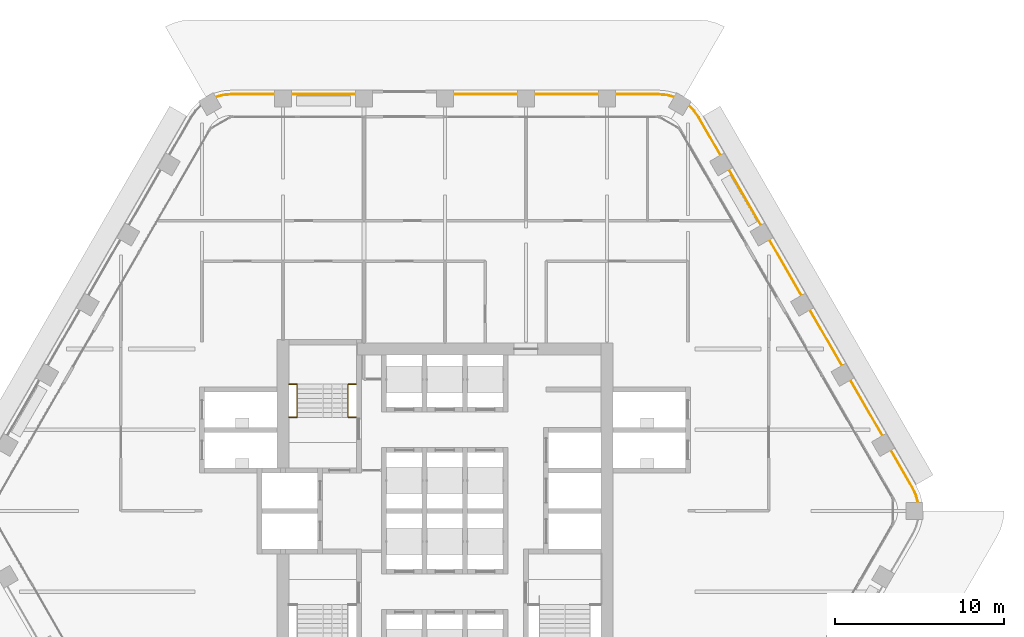
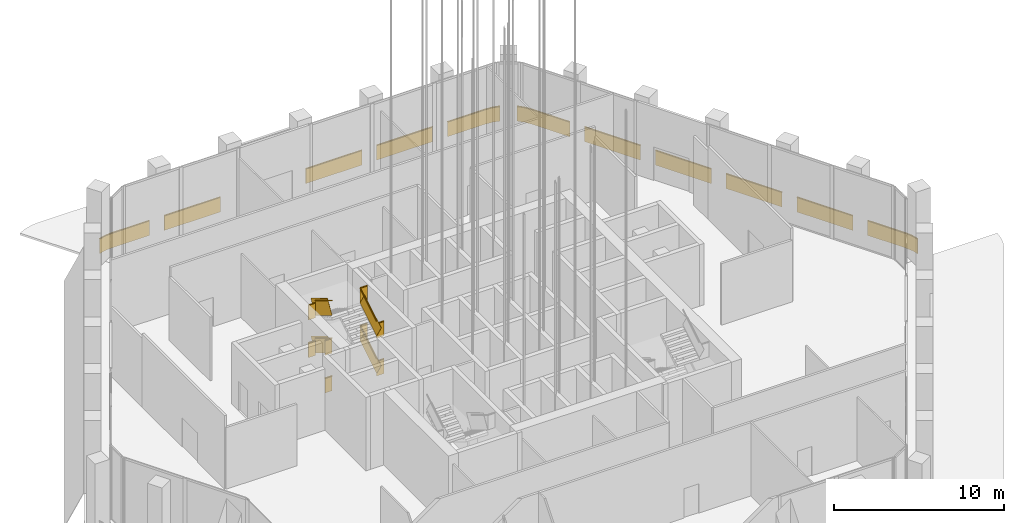
# One storey, part 41 of 42: 4 railings.
"""IFC4 building model written with IfcOpenShell, lengths in metres."""

from ifc_helpers import new_model, si_unit, direction, frame, frame_2d, origin, origin_2d, place, context, subcontext, project, spatial, rectangle, extrude, material, type_object, element, save


model = new_model("IFC4")

# Units and contexts
model_context = context("Model", 3, precision=1e-05, world=origin(), true_north=direction((0.0, 1.0)))
body_context = subcontext(model_context, "Body", "Model", "MODEL_VIEW")
ifc_project = project(units=[si_unit("LENGTHUNIT", "METRE"), si_unit("AREAUNIT", "SQUARE_METRE"), si_unit("VOLUMEUNIT", "CUBIC_METRE"), si_unit("PLANEANGLEUNIT", "RADIAN"), si_unit("MASSUNIT", "GRAM", prefix="KILO")], contexts=[model_context])

# Site, building, storey
site_placement = place(None, origin())
site = spatial("IfcSite", under=ifc_project, at=site_placement, CompositionType="ELEMENT")
building_placement = place(site_placement, origin())
building = spatial("IfcBuilding", under=site, at=building_placement, Name="Kolab Exchange Tower", CompositionType="ELEMENT")
storey_placement = place(building_placement, frame((0.0, 0.0, 133.39990234375)))
storey = spatial("IfcBuildingStorey", under=building, at=storey_placement, Name="L26", CompositionType="ELEMENT", Elevation=133.39990234375)

# Railings
ifc_material_1 = material(Name="Stainless steel 316", Category="steel")
railing_type_1 = type_object("IfcRailingType", Name="GUARD 1100", PredefinedType="GUARDRAIL", material=ifc_material_1)
railing_1_placement = place(storey_placement, frame((-9.25, 5.550048828125, 0.0)))
element("IfcRailing", 1, at=railing_1_placement, inside=storey, type_object=railing_type_1, Name="Guard ST1", PredefinedType="GUARDRAIL", context=body_context, shape_type="SweptSolid", body=[
    extrude(rectangle(XDim=0.05, YDim=0.05, at=origin_2d()), frame((0.0, 0.0, 1.0751953125), z_axis=(1.0, 0.0, 0.0), x_axis=(0.0, 1.0, 0.0)), (0.0, 0.0, 1.0), 0.489990234375),
    extrude(rectangle(XDim=0.012, YDim=1.05009765625, at=frame_2d((0.0, 0.525146484375))), frame((0.0, 0.0, 0.0), z_axis=(1.0, 0.0, 0.0), x_axis=(0.0, 1.0, 0.0)), (0.0, 0.0, 1.0), 0.489990234375),
    extrude(rectangle(XDim=0.05, YDim=0.05, at=origin_2d()), frame((3.510009765625, 0.0, 1.0751953125), z_axis=(1.0, 0.0, 0.0), x_axis=(0.0, 1.0, 0.0)), (0.0, 0.0, 1.0), 0.489990234375),
    extrude(rectangle(XDim=0.012, YDim=1.05009765625, at=frame_2d((0.0, 0.525146484375))), frame((3.510009765625, 0.0, 0.0), z_axis=(1.0, 0.0, 0.0), x_axis=(0.0, 1.0, 0.0)), (0.0, 0.0, 1.0), 0.489990234375),
    extrude(rectangle(XDim=0.05, YDim=0.05, at=origin_2d()), frame((0.0, 1.9599609375, 2.42529296875), z_axis=(1.0, 0.0, 0.0), x_axis=(0.0, 1.0, 0.0)), (0.0, 0.0, 1.0), 0.489990234375),
    extrude(rectangle(XDim=0.012, YDim=1.05009765625, at=frame_2d((0.0, 0.525146484375))), frame((0.0, 1.9599609375, 1.35009765625), z_axis=(1.0, 0.0, 0.0), x_axis=(0.0, 1.0, 0.0)), (0.0, 0.0, 1.0), 0.489990234375),
    extrude(rectangle(XDim=0.05, YDim=0.05, at=origin_2d()), frame((3.510009765625, 1.9599609375, 2.42529296875), z_axis=(1.0, 0.0, 0.0), x_axis=(0.0, 1.0, 0.0)), (0.0, 0.0, 1.0), 0.489990234375),
    extrude(rectangle(XDim=0.012, YDim=1.05009765625, at=frame_2d((0.0, 0.525146484375))), frame((3.510009765625, 1.9599609375, 1.35009765625), z_axis=(1.0, 0.0, 0.0), x_axis=(0.0, 1.0, 0.0)), (0.0, 0.0, 1.0), 0.489990234375),
    extrude(rectangle(XDim=0.05, YDim=0.05, at=origin_2d()), frame((0.0, 0.0, 3.775390625), z_axis=(1.0, 0.0, 0.0), x_axis=(0.0, 1.0, 0.0)), (0.0, 0.0, 1.0), 0.489990234375),
    extrude(rectangle(XDim=0.012, YDim=1.05009765625, at=frame_2d((0.0, 0.525146484375))), frame((0.0, 0.0, 2.7001953125), z_axis=(1.0, 0.0, 0.0), x_axis=(0.0, 1.0, 0.0)), (0.0, 0.0, 1.0), 0.489990234375),
    extrude(rectangle(XDim=0.05, YDim=0.05, at=origin_2d()), frame((3.510009765625, 0.0, 3.775390625), z_axis=(1.0, 0.0, 0.0), x_axis=(0.0, 1.0, 0.0)), (0.0, 0.0, 1.0), 0.489990234375),
    extrude(rectangle(XDim=0.012, YDim=1.05009765625, at=frame_2d((0.0, 0.525146484375))), frame((3.510009765625, 0.0, 2.7001953125), z_axis=(1.0, 0.0, 0.0), x_axis=(0.0, 1.0, 0.0)), (0.0, 0.0, 1.0), 0.489990234375),
    extrude(rectangle(XDim=0.05, YDim=0.05, at=origin_2d()), frame((0.0, 1.9599609375, 5.125244140625), z_axis=(1.0, 0.0, 0.0), x_axis=(0.0, 1.0, 0.0)), (0.0, 0.0, 1.0), 0.489990234375),
    extrude(rectangle(XDim=0.012, YDim=1.05009765625, at=frame_2d((0.0, 0.525146484375))), frame((0.0, 1.9599609375, 4.050048828125), z_axis=(1.0, 0.0, 0.0), x_axis=(0.0, 1.0, 0.0)), (0.0, 0.0, 1.0), 0.489990234375),
    extrude(rectangle(XDim=0.05, YDim=0.05, at=origin_2d()), frame((3.510009765625, 1.9599609375, 5.125244140625), z_axis=(1.0, 0.0, 0.0), x_axis=(0.0, 1.0, 0.0)), (0.0, 0.0, 1.0), 0.489990234375),
    extrude(rectangle(XDim=0.012, YDim=1.05009765625, at=frame_2d((0.0, 0.525146484375))), frame((3.510009765625, 1.9599609375, 4.050048828125), z_axis=(1.0, 0.0, 0.0), x_axis=(0.0, 1.0, 0.0)), (0.0, 0.0, 1.0), 0.489990234375),
])
railing_2_placement = place(storey_placement, frame((-5.739990234375, 5.550048828125, 0.168701171875)))
element("IfcRailing", 2, at=railing_2_placement, inside=storey, type_object=railing_type_1, Name="Handrail guard ST1", PredefinedType="GUARDRAIL", context=body_context, shape_type="SweptSolid", body=[
    extrude(rectangle(XDim=0.05, YDim=0.05, at=origin_2d()), frame((0.0, 0.0, 1.0751953125), z_axis=(0.0, 0.856446297458, 0.516236127728), x_axis=(-1.0, 0.0, 0.0)), (0.0, 0.0, 1.0), 2.28857421875),
    extrude(rectangle(XDim=0.012, YDim=1.05009765625, at=frame_2d((0.0, 0.525146484375))), frame((0.0, 0.0, 0.0), z_axis=(0.0, 0.856446297458, 0.516236127728), x_axis=(-1.0, 0.0, 0.0)), (0.0, 0.0, 1.0), 2.28857421875),
    extrude(rectangle(XDim=0.05, YDim=0.05, at=origin_2d()), frame((-3.02001953125, 1.9599609375, 2.42529296875), z_axis=(0.0, -0.856446297458, 0.516236127728), x_axis=(1.0, 0.0, 0.0)), (0.0, 0.0, 1.0), 2.28857421875),
    extrude(rectangle(XDim=0.012, YDim=1.05009765625, at=frame_2d((0.0, 0.525146484375))), frame((-3.02001953125, 1.9599609375, 1.35009765625), z_axis=(0.0, -0.856446297458, 0.516236127728), x_axis=(1.0, 0.0, 0.0)), (0.0, 0.0, 1.0), 2.28857421875),
    extrude(rectangle(XDim=0.05, YDim=0.05, at=origin_2d()), frame((0.0, 0.0, 3.775390625), z_axis=(0.0, 0.856493463811, 0.516157869696), x_axis=(-1.0, 0.0, 0.0)), (0.0, 0.0, 1.0), 2.288330078125),
    extrude(rectangle(XDim=0.012, YDim=1.05009765625, at=frame_2d((0.0, 0.525146484375))), frame((0.0, 0.0, 2.7001953125), z_axis=(0.0, 0.856493463811, 0.516157869696), x_axis=(-1.0, 0.0, 0.0)), (0.0, 0.0, 1.0), 2.288330078125),
    extrude(rectangle(XDim=0.05, YDim=0.05, at=origin_2d()), frame((-3.02001953125, 1.9599609375, 5.125244140625), z_axis=(0.0, -0.856446297458, 0.516236127728), x_axis=(1.0, 0.0, 0.0)), (0.0, 0.0, 1.0), 2.28857421875),
    extrude(rectangle(XDim=0.012, YDim=1.05009765625, at=frame_2d((0.0, 0.525146484375))), frame((-3.02001953125, 1.9599609375, 4.050048828125), z_axis=(0.0, -0.856446297458, 0.516236127728), x_axis=(1.0, 0.0, 0.0)), (0.0, 0.0, 1.0), 2.28857421875),
])
ifc_material_2 = material(Name="Steel S235", Category="steel")
railing_type_2 = type_object("IfcRailingType", Name="GUARD 1100 GLASS BALUSTRADE AND STEEL TOP RAIL", PredefinedType="GUARDRAIL", material=ifc_material_2)
railing_3_placement = place(storey_placement, frame((13.588623046875, 24.531005859375, 0.0)))
element("IfcRailing", 3, at=railing_3_placement, inside=storey, type_object=railing_type_2, Name="Guard", PredefinedType="GUARDRAIL", context=body_context, shape_type="SweptSolid", body=[
    extrude(rectangle(XDim=0.05, YDim=0.05, at=origin_2d()), frame((0.0, 0.0, 1.0751953125), z_axis=(-0.965969425465, 0.25865627591, 0.0), x_axis=(-0.25865627591, -0.965969425465, 0.0)), (0.0, 0.0, 1.0), 0.458740234375),
    extrude(rectangle(XDim=0.012, YDim=1.05009765625, at=frame_2d((0.0, 0.525146484375))), frame((0.0, 0.0, 0.0), z_axis=(-0.965969425465, 0.25865627591, 0.0), x_axis=(-0.25865627591, -0.965969425465, 0.0)), (0.0, 0.0, 1.0), 0.458740234375),
    extrude(rectangle(XDim=0.05, YDim=0.05, at=origin_2d()), frame((-0.443115234375, 0.11865234375, 1.0751953125), z_axis=(-0.996156034798, 0.087596542937, 0.0), x_axis=(-0.087596542937, -0.996156034798, 0.0)), (0.0, 0.0, 1.0), 0.4794921875),
    extrude(rectangle(XDim=0.012, YDim=1.05009765625, at=frame_2d((0.0, 0.525146484375))), frame((-0.443115234375, 0.11865234375, 0.0), z_axis=(-0.996156034798, 0.087596542937, 0.0), x_axis=(-0.087596542937, -0.996156034798, 0.0)), (0.0, 0.0, 1.0), 0.4794921875),
    extrude(rectangle(XDim=0.05, YDim=0.05, at=origin_2d()), frame((-0.920654296875, 0.16064453125, 1.0751953125), z_axis=(-1.0, 0.0, 0.0), x_axis=(0.0, -1.0, 0.0)), (0.0, 0.0, 1.0), 2.56787109375),
    extrude(rectangle(XDim=0.012, YDim=1.05009765625, at=frame_2d((0.0, 0.525146484375))), frame((-0.920654296875, 0.16064453125, 0.0), z_axis=(-1.0, 0.0, 0.0), x_axis=(0.0, -1.0, 0.0)), (0.0, 0.0, 1.0), 2.56787109375),
    extrude(rectangle(XDim=0.05, YDim=0.05, at=origin_2d()), frame((-4.488525390625, 0.16064453125, 1.0751953125), z_axis=(-1.0, 0.0, 0.0), x_axis=(0.0, -1.0, 0.0)), (0.0, 0.0, 1.0), 3.800048828125),
    extrude(rectangle(XDim=0.012, YDim=1.05009765625, at=frame_2d((0.0, 0.525146484375))), frame((-4.488525390625, 0.16064453125, 0.0), z_axis=(-1.0, 0.0, 0.0), x_axis=(0.0, -1.0, 0.0)), (0.0, 0.0, 1.0), 3.800048828125),
    extrude(rectangle(XDim=0.05, YDim=0.05, at=origin_2d()), frame((-9.28857421875, 0.16064453125, 1.0751953125), z_axis=(-1.0, 0.0, 0.0), x_axis=(0.0, -1.0, 0.0)), (0.0, 0.0, 1.0), 3.800048828125),
    extrude(rectangle(XDim=0.012, YDim=1.05009765625, at=frame_2d((0.0, 0.525146484375))), frame((-9.28857421875, 0.16064453125, 0.0), z_axis=(-1.0, 0.0, 0.0), x_axis=(0.0, -1.0, 0.0)), (0.0, 0.0, 1.0), 3.800048828125),
    extrude(rectangle(XDim=0.05, YDim=0.05, at=origin_2d()), frame((-18.888671875, 0.16064453125, 1.0751953125), z_axis=(-1.0, 0.0, 0.0), x_axis=(0.0, -1.0, 0.0)), (0.0, 0.0, 1.0), 3.800048828125),
    extrude(rectangle(XDim=0.012, YDim=1.05009765625, at=frame_2d((0.0, 0.525146484375))), frame((-18.888671875, 0.16064453125, 0.0), z_axis=(-1.0, 0.0, 0.0), x_axis=(0.0, -1.0, 0.0)), (0.0, 0.0, 1.0), 3.800048828125),
    extrude(rectangle(XDim=0.05, YDim=0.05, at=origin_2d()), frame((-23.688720703125, 0.16064453125, 1.0751953125), z_axis=(-1.0, 0.0, 0.0), x_axis=(0.0, -1.0, 0.0)), (0.0, 0.0, 1.0), 2.56787109375),
    extrude(rectangle(XDim=0.012, YDim=1.05009765625, at=frame_2d((0.0, 0.525146484375))), frame((-23.688720703125, 0.16064453125, 0.0), z_axis=(-1.0, 0.0, 0.0), x_axis=(0.0, -1.0, 0.0)), (0.0, 0.0, 1.0), 2.56787109375),
    extrude(rectangle(XDim=0.05, YDim=0.05, at=origin_2d()), frame((-26.256591796875, 0.16064453125, 1.0751953125), z_axis=(-0.996156034798, -0.087596542937, 0.0), x_axis=(0.087596542937, -0.996156034798, 0.0)), (0.0, 0.0, 1.0), 0.4794921875),
    extrude(rectangle(XDim=0.012, YDim=1.05009765625, at=frame_2d((0.0, 0.525146484375))), frame((-26.256591796875, 0.16064453125, 0.0), z_axis=(-0.996156034798, -0.087596542937, 0.0), x_axis=(0.087596542937, -0.996156034798, 0.0)), (0.0, 0.0, 1.0), 0.4794921875),
    extrude(rectangle(XDim=0.05, YDim=0.05, at=origin_2d()), frame((-26.734130859375, 0.11865234375, 1.0751953125), z_axis=(-0.965969425465, -0.25865627591, 0.0), x_axis=(0.25865627591, -0.965969425465, 0.0)), (0.0, 0.0, 1.0), 0.458740234375),
    extrude(rectangle(XDim=0.012, YDim=1.05009765625, at=frame_2d((0.0, 0.525146484375))), frame((-26.734130859375, 0.11865234375, 0.0), z_axis=(-0.965969425465, -0.25865627591, 0.0), x_axis=(0.25865627591, -0.965969425465, 0.0)), (0.0, 0.0, 1.0), 0.458740234375),
])
railing_4_placement = place(storey_placement, frame((28.038818359375, 0.49755859375, 0.0)))
element("IfcRailing", 4, at=railing_4_placement, inside=storey, type_object=railing_type_2, Name="Guard", PredefinedType="GUARDRAIL", context=body_context, shape_type="SweptSolid", body=[
    extrude(rectangle(XDim=0.05, YDim=0.05, at=origin_2d()), frame((0.0, 0.0, 1.0751953125), z_axis=(-0.25865627591, 0.965969425465, 0.0), x_axis=(-0.965969425465, -0.25865627591, 0.0)), (0.0, 0.0, 1.0), 0.458740234375),
    extrude(rectangle(XDim=0.012, YDim=1.05009765625, at=frame_2d((0.0, 0.525146484375))), frame((0.0, 0.0, 0.0), z_axis=(-0.25865627591, 0.965969425465, 0.0), x_axis=(-0.965969425465, -0.25865627591, 0.0)), (0.0, 0.0, 1.0), 0.458740234375),
    extrude(rectangle(XDim=0.05, YDim=0.05, at=origin_2d()), frame((-0.11865234375, 0.443115234375, 1.0751953125), z_axis=(-0.422801802984, 0.906222177721, 0.0), x_axis=(-0.906222177721, -0.422801802984, 0.0)), (0.0, 0.0, 1.0), 0.479248046875),
    extrude(rectangle(XDim=0.012, YDim=1.05009765625, at=frame_2d((0.0, 0.525146484375))), frame((-0.11865234375, 0.443115234375, 0.0), z_axis=(-0.422801802984, 0.906222177721, 0.0), x_axis=(-0.906222177721, -0.422801802984, 0.0)), (0.0, 0.0, 1.0), 0.479248046875),
    extrude(rectangle(XDim=0.05, YDim=0.05, at=origin_2d()), frame((-0.3212890625, 0.87744140625, 1.0751953125), z_axis=(-0.499994038704, 0.866028845513, 0.0), x_axis=(-0.866028845513, -0.499994038704, 0.0)), (0.0, 0.0, 1.0), 2.56787109375),
    extrude(rectangle(XDim=0.012, YDim=1.05009765625, at=frame_2d((0.0, 0.525146484375))), frame((-0.3212890625, 0.87744140625, 0.0), z_axis=(-0.499994038704, 0.866028845513, 0.0), x_axis=(-0.866028845513, -0.499994038704, 0.0)), (0.0, 0.0, 1.0), 2.56787109375),
    extrude(rectangle(XDim=0.05, YDim=0.05, at=origin_2d()), frame((-2.105224609375, 3.96728515625, 1.0751953125), z_axis=(-0.500015340139, 0.86601654697, 0.0), x_axis=(-0.86601654697, -0.500015340139, 0.0)), (0.0, 0.0, 1.0), 3.80029296875),
    extrude(rectangle(XDim=0.012, YDim=1.05009765625, at=frame_2d((0.0, 0.525146484375))), frame((-2.105224609375, 3.96728515625, 0.0), z_axis=(-0.500015340139, 0.86601654697, 0.0), x_axis=(-0.86601654697, -0.500015340139, 0.0)), (0.0, 0.0, 1.0), 3.80029296875),
    extrude(rectangle(XDim=0.05, YDim=0.05, at=origin_2d()), frame((-4.50537109375, 8.124267578125, 1.0751953125), z_axis=(-0.499967155389, 0.866044365799, 0.0), x_axis=(-0.866044365799, -0.499967155389, 0.0)), (0.0, 0.0, 1.0), 3.800048828125),
    extrude(rectangle(XDim=0.012, YDim=1.05009765625, at=frame_2d((0.0, 0.525146484375))), frame((-4.50537109375, 8.124267578125, 0.0), z_axis=(-0.499967155389, 0.866044365799, 0.0), x_axis=(-0.866044365799, -0.499967155389, 0.0)), (0.0, 0.0, 1.0), 3.800048828125),
    extrude(rectangle(XDim=0.05, YDim=0.05, at=origin_2d()), frame((-6.9052734375, 12.28125, 1.0751953125), z_axis=(-0.500043160704, 0.866000483506, 0.0), x_axis=(-0.866000483506, -0.500043160704, 0.0)), (0.0, 0.0, 1.0), 3.800048828125),
    extrude(rectangle(XDim=0.012, YDim=1.05009765625, at=frame_2d((0.0, 0.525146484375))), frame((-6.9052734375, 12.28125, 0.0), z_axis=(-0.500043160704, 0.866000483506, 0.0), x_axis=(-0.866000483506, -0.500043160704, 0.0)), (0.0, 0.0, 1.0), 3.800048828125),
    extrude(rectangle(XDim=0.05, YDim=0.05, at=origin_2d()), frame((-9.305419921875, 16.438232421875, 1.0751953125), z_axis=(-0.499994975061, 0.866028304915, 0.0), x_axis=(-0.866028304915, -0.499994975061, 0.0)), (0.0, 0.0, 1.0), 3.7998046875),
    extrude(rectangle(XDim=0.012, YDim=1.05009765625, at=frame_2d((0.0, 0.525146484375))), frame((-9.305419921875, 16.438232421875, 0.0), z_axis=(-0.499994975061, 0.866028304915, 0.0), x_axis=(-0.866028304915, -0.499994975061, 0.0)), (0.0, 0.0, 1.0), 3.7998046875),
    extrude(rectangle(XDim=0.05, YDim=0.05, at=origin_2d()), frame((-11.705322265625, 20.594970703125, 1.0751953125), z_axis=(-0.499952873616, 0.866052610505, 0.0), x_axis=(-0.866052610505, -0.499952873616, 0.0)), (0.0, 0.0, 1.0), 2.568115234375),
    extrude(rectangle(XDim=0.012, YDim=1.05009765625, at=frame_2d((0.0, 0.525146484375))), frame((-11.705322265625, 20.594970703125, 0.0), z_axis=(-0.499952873616, 0.866052610505, 0.0), x_axis=(-0.866052610505, -0.499952873616, 0.0)), (0.0, 0.0, 1.0), 2.568115234375),
    extrude(rectangle(XDim=0.05, YDim=0.05, at=origin_2d()), frame((-12.9892578125, 22.819091796875, 1.0751953125), z_axis=(-0.573599091554, 0.819136180478, 0.0), x_axis=(-0.819136180478, -0.573599091554, 0.0)), (0.0, 0.0, 1.0), 0.479248046875),
    extrude(rectangle(XDim=0.012, YDim=1.05009765625, at=frame_2d((0.0, 0.525146484375))), frame((-12.9892578125, 22.819091796875, 0.0), z_axis=(-0.573599091554, 0.819136180478, 0.0), x_axis=(-0.819136180478, -0.573599091554, 0.0)), (0.0, 0.0, 1.0), 0.479248046875),
    extrude(rectangle(XDim=0.05, YDim=0.05, at=origin_2d()), frame((-13.26416015625, 23.211669921875, 1.0751953125), z_axis=(-0.70737286085, 0.706840601361, 0.0), x_axis=(-0.706840601361, -0.70737286085, 0.0)), (0.0, 0.0, 1.0), 0.458740234375),
    extrude(rectangle(XDim=0.012, YDim=1.05009765625, at=frame_2d((0.0, 0.525146484375))), frame((-13.26416015625, 23.211669921875, 0.0), z_axis=(-0.70737286085, 0.706840601361, 0.0), x_axis=(-0.706840601361, -0.70737286085, 0.0)), (0.0, 0.0, 1.0), 0.458740234375),
])

save(model, "model.ifc")
